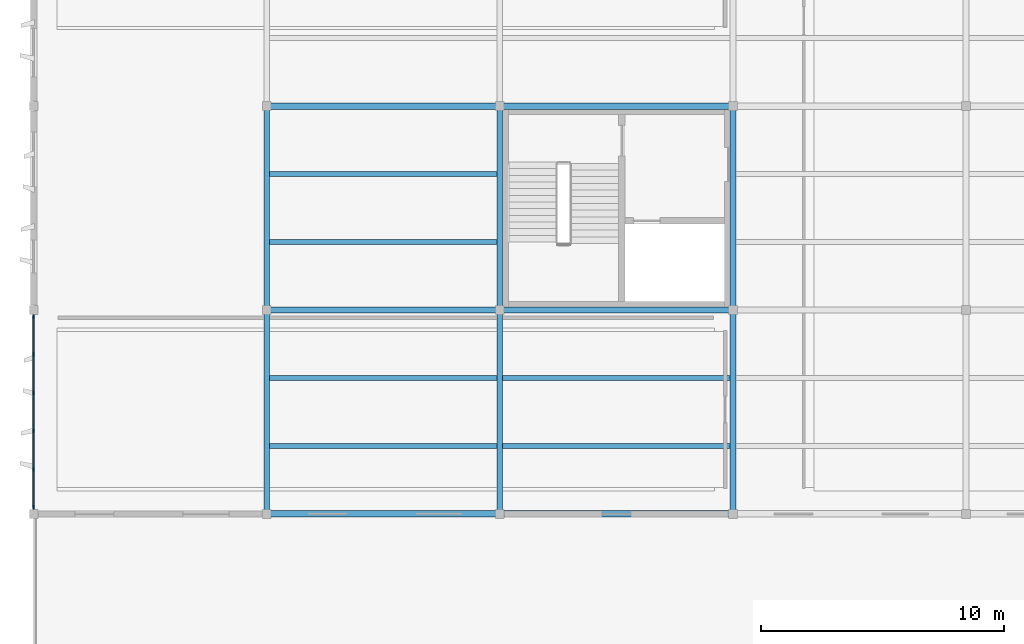
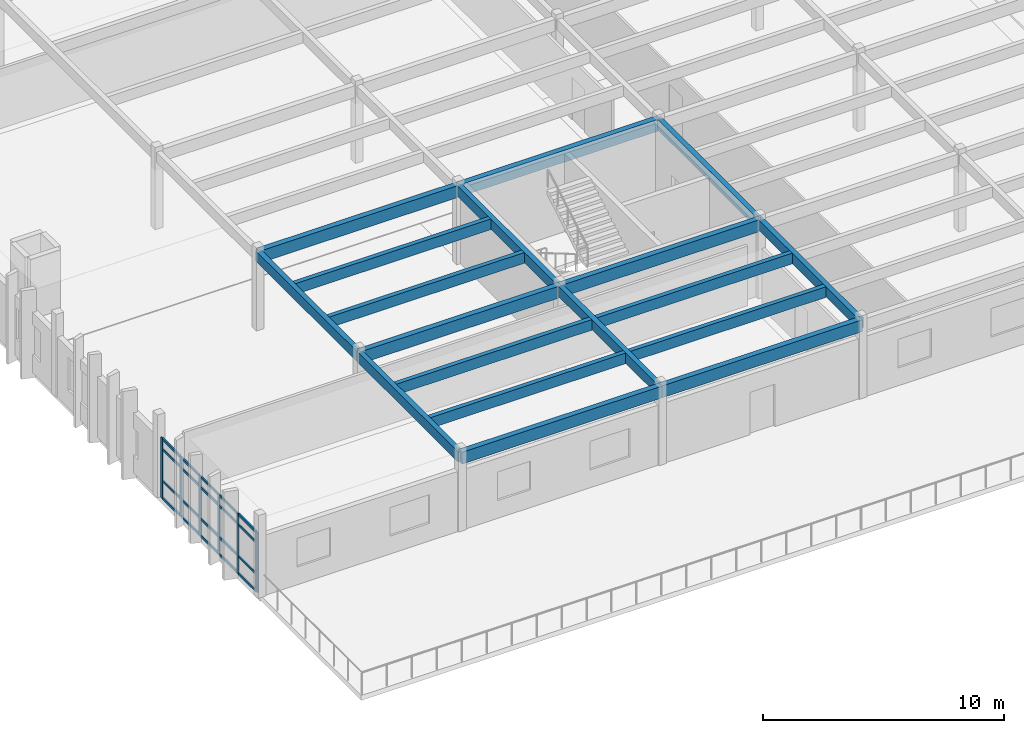
# One storey, part 5 of 61: 26 members, 18 beams, 1 element without a shape of its own.
"""IFC4 building model written with IfcOpenShell, lengths in metres."""

from ifc_helpers import new_model, si_unit, direction, frame, origin, origin_2d, place, context, subcontext, project, spatial, rectangle, extrude, material, layer, layer_set, material_profile, profile_set, type_object, element, aggregate, save


model = new_model("IFC4")

# Units and contexts
model_context = context("Model", 3, precision=1e-05, world=origin(), true_north=direction((0.0, 1.0)))
body_context = subcontext(model_context, "Body", "Model", "MODEL_VIEW")
ifc_project = project(units=[si_unit("LENGTHUNIT", "METRE"), si_unit("AREAUNIT", "SQUARE_METRE"), si_unit("VOLUMEUNIT", "CUBIC_METRE"), si_unit("PLANEANGLEUNIT", "RADIAN"), si_unit("MASSUNIT", "GRAM", prefix="KILO")], contexts=[model_context])

# Site, building, storey
site_placement = place(None, origin())
site = spatial("IfcSite", under=ifc_project, at=site_placement, CompositionType="ELEMENT")
building_placement = place(site_placement, origin())
building = spatial("IfcBuilding", under=site, at=building_placement, Name="Kolvemor Railside Polytechnic", CompositionType="ELEMENT")
storey_placement = place(building_placement, frame((0.0, 0.0, 10.199951171875)))
storey = spatial("IfcBuildingStorey", under=building, at=storey_placement, Name="L02", CompositionType="ELEMENT", Elevation=10.199951171875)

# Beams
ifc_material_1 = material(Name="Glulam GL28h", Category="wood")
ifc_material_profile_1 = material_profile(ifc_material_1, rectangle(XDim=0.264892578125, YDim=0.60009765625, at=origin_2d()), Name="GL265x600")
ifc_profile_set_1 = profile_set([ifc_material_profile_1], Name="Glulam GL28h")
beam_type_1 = type_object("IfcBeamType", Name="BM-GL-GIRD7", PredefinedType="BEAM", material=ifc_profile_set_1)
beam_1_placement = place(storey_placement, frame((9.60009765625, 13.199951171875, 3.650146484375), z_axis=(1.0, 0.0, 0.0), x_axis=(0.0, 1.0, 0.0)))
element("IfcBeam", 1, at=beam_1_placement, inside=storey, type_object=beam_type_1, Name="Primary Girder L03-GX 1097", PredefinedType="BEAM", context=body_context, shape_type="SweptSolid", body=[
    extrude(rectangle(XDim=0.264892578125, YDim=0.60009765625, at=origin_2d()), origin(), (0.0, 0.0, 1.0), 9.599853515625),
])
beam_2_placement = place(storey_placement, frame((19.199951171875, 13.199951171875, 3.650146484375), z_axis=(1.0, 0.0, 0.0), x_axis=(0.0, 1.0, 0.0)))
element("IfcBeam", 2, at=beam_2_placement, inside=storey, type_object=beam_type_1, Name="Primary Girder L03-GX 1098", PredefinedType="BEAM", context=body_context, shape_type="SweptSolid", body=[
    extrude(rectangle(XDim=0.264892578125, YDim=0.60009765625, at=origin_2d()), origin(), (0.0, 0.0, 1.0), 9.60009765625),
])
beam_3_placement = place(storey_placement, frame((9.60009765625, 21.60009765625, 3.650146484375), z_axis=(1.0, 0.0, 0.0), x_axis=(0.0, 1.0, 0.0)))
element("IfcBeam", 3, at=beam_3_placement, inside=storey, type_object=beam_type_1, Name="Primary Girder L03-GX 1101", PredefinedType="BEAM", context=body_context, shape_type="SweptSolid", body=[
    extrude(rectangle(XDim=0.264892578125, YDim=0.60009765625, at=origin_2d()), origin(), (0.0, 0.0, 1.0), 9.599853515625),
])
beam_4_placement = place(storey_placement, frame((19.199951171875, 21.60009765625, 3.650146484375), z_axis=(1.0, 0.0, 0.0), x_axis=(0.0, 1.0, 0.0)))
element("IfcBeam", 4, at=beam_4_placement, inside=storey, type_object=beam_type_1, Name="Primary Girder L03-GX 1102", PredefinedType="BEAM", context=body_context, shape_type="SweptSolid", body=[
    extrude(rectangle(XDim=0.264892578125, YDim=0.60009765625, at=origin_2d()), origin(), (0.0, 0.0, 1.0), 9.60009765625),
])
beam_5_placement = place(storey_placement, frame((9.60009765625, 30.0, 3.650146484375), z_axis=(1.0, 0.0, 0.0), x_axis=(0.0, 1.0, 0.0)))
element("IfcBeam", 5, at=beam_5_placement, inside=storey, type_object=beam_type_1, Name="Primary Girder L03-GX 1105", PredefinedType="BEAM", context=body_context, shape_type="SweptSolid", body=[
    extrude(rectangle(XDim=0.264892578125, YDim=0.60009765625, at=origin_2d()), origin(), (0.0, 0.0, 1.0), 9.599853515625),
])
beam_6_placement = place(storey_placement, frame((19.199951171875, 30.0, 3.650146484375), z_axis=(1.0, 0.0, 0.0), x_axis=(0.0, 1.0, 0.0)))
element("IfcBeam", 6, at=beam_6_placement, inside=storey, type_object=beam_type_1, Name="Primary Girder L03-GX 1106", PredefinedType="BEAM", context=body_context, shape_type="SweptSolid", body=[
    extrude(rectangle(XDim=0.264892578125, YDim=0.60009765625, at=origin_2d()), origin(), (0.0, 0.0, 1.0), 9.60009765625),
])
ifc_material_2 = material(Name="Glulam GL28h", Category="wood")
ifc_material_profile_2 = material_profile(ifc_material_2, rectangle(XDim=0.239990234375, YDim=0.52001953125, at=origin_2d()), Name="GL240x520")
ifc_profile_set_2 = profile_set([ifc_material_profile_2], Name="Glulam GL28h")
beam_type_2 = type_object("IfcBeamType", Name="BM-GL-GIRD8", PredefinedType="BEAM", material=ifc_profile_set_2)
beam_7_placement = place(storey_placement, frame((9.60009765625, 13.199951171875, 3.68994140625), z_axis=(0.0, 1.0, 0.0), x_axis=(-1.0, 0.0, 0.0)))
element("IfcBeam", 7, at=beam_7_placement, inside=storey, type_object=beam_type_2, Name="Primary Girder L03-GY 1129", PredefinedType="BEAM", context=body_context, shape_type="SweptSolid", body=[
    extrude(rectangle(XDim=0.239990234375, YDim=0.52001953125, at=origin_2d()), origin(), (0.0, 0.0, 1.0), 8.400146484375),
])
beam_8_placement = place(storey_placement, frame((9.60009765625, 21.60009765625, 3.68994140625), z_axis=(0.0, 1.0, 0.0), x_axis=(-1.0, 0.0, 0.0)))
element("IfcBeam", 8, at=beam_8_placement, inside=storey, type_object=beam_type_2, Name="Primary Girder L03-GY 1130", PredefinedType="BEAM", context=body_context, shape_type="SweptSolid", body=[
    extrude(rectangle(XDim=0.239990234375, YDim=0.52001953125, at=origin_2d()), origin(), (0.0, 0.0, 1.0), 8.39990234375),
])
beam_9_placement = place(storey_placement, frame((19.199951171875, 13.199951171875, 3.68994140625), z_axis=(0.0, 1.0, 0.0), x_axis=(-1.0, 0.0, 0.0)))
element("IfcBeam", 9, at=beam_9_placement, inside=storey, type_object=beam_type_2, Name="Primary Girder L03-GY 1136", PredefinedType="BEAM", context=body_context, shape_type="SweptSolid", body=[
    extrude(rectangle(XDim=0.239990234375, YDim=0.52001953125, at=origin_2d()), origin(), (0.0, 0.0, 1.0), 8.400146484375),
])
beam_10_placement = place(storey_placement, frame((19.199951171875, 21.60009765625, 3.68994140625), z_axis=(0.0, 1.0, 0.0), x_axis=(-1.0, 0.0, 0.0)))
element("IfcBeam", 10, at=beam_10_placement, inside=storey, type_object=beam_type_2, Name="Primary Girder L03-GY 1137", PredefinedType="BEAM", context=body_context, shape_type="SweptSolid", body=[
    extrude(rectangle(XDim=0.239990234375, YDim=0.52001953125, at=origin_2d()), origin(), (0.0, 0.0, 1.0), 8.39990234375),
])
beam_11_placement = place(storey_placement, frame((28.800048828125, 13.199951171875, 3.68994140625), z_axis=(0.0, 1.0, 0.0), x_axis=(-1.0, 0.0, 0.0)))
element("IfcBeam", 11, at=beam_11_placement, inside=storey, type_object=beam_type_2, Name="Primary Girder L03-GY 1143", PredefinedType="BEAM", context=body_context, shape_type="SweptSolid", body=[
    extrude(rectangle(XDim=0.239990234375, YDim=0.52001953125, at=origin_2d()), origin(), (0.0, 0.0, 1.0), 8.400146484375),
])
beam_12_placement = place(storey_placement, frame((28.800048828125, 21.60009765625, 3.68994140625), z_axis=(0.0, 1.0, 0.0), x_axis=(-1.0, 0.0, 0.0)))
element("IfcBeam", 12, at=beam_12_placement, inside=storey, type_object=beam_type_2, Name="Primary Girder L03-GY 1144", PredefinedType="BEAM", context=body_context, shape_type="SweptSolid", body=[
    extrude(rectangle(XDim=0.239990234375, YDim=0.52001953125, at=origin_2d()), origin(), (0.0, 0.0, 1.0), 8.39990234375),
])
ifc_material_3 = material(Name="Glulam GL28h", Category="wood")
ifc_material_profile_3 = material_profile(ifc_material_3, rectangle(XDim=0.215087890625, YDim=0.5400390625, at=origin_2d()), Name="GL215x540")
ifc_profile_set_3 = profile_set([ifc_material_profile_3], Name="Glulam GL28h")
beam_type_3 = type_object("IfcBeamType", Name="BM-GL-JST1", PredefinedType="JOIST", material=ifc_profile_set_3)
for number, where, z_axis, x_axis, name in (
    (13, (9.719970703125, 16.0, 3.679931640625), (1.0, 0.0, 0.0), (0.0, 1.0, 0.0), "Floor Joist L03-J1164"),
    (14, (9.719970703125, 18.800048828125, 3.679931640625), (1.0, 0.0, 0.0), (0.0, 1.0, 0.0), "Floor Joist L03-J1165"),
    (15, (9.719970703125, 24.39990234375, 3.679931640625), (1.0, 0.0, 0.0), (0.0, 1.0, 0.0), "Floor Joist L03-J1166"),
    (16, (9.719970703125, 27.199951171875, 3.679931640625), (1.0, 0.0, 0.0), (0.0, 1.0, 0.0), "Floor Joist L03-J1167"),
):
    element("IfcBeam", number, at=place(storey_placement, frame(where, z_axis=z_axis, x_axis=x_axis)), inside=storey, type_object=beam_type_3, Name=name, PredefinedType="JOIST", context=body_context, shape_type="SweptSolid", body=[
        extrude(rectangle(XDim=0.215087890625, YDim=0.5400390625, at=origin_2d()), origin(), (0.0, 0.0, 1.0), 9.360107421875),
    ])
for number, where, z_axis, x_axis, name in (
    (17, (19.320068359375, 16.0, 3.679931640625), (1.0, 0.0, 0.0), (0.0, 1.0, 0.0), "Floor Joist L03-J1178"),
    (18, (19.320068359375, 18.800048828125, 3.679931640625), (1.0, 0.0, 0.0), (0.0, 1.0, 0.0), "Floor Joist L03-J1179"),
):
    element("IfcBeam", number, at=place(storey_placement, frame(where, z_axis=z_axis, x_axis=x_axis)), inside=storey, type_object=beam_type_3, Name=name, PredefinedType="JOIST", context=body_context, shape_type="SweptSolid", body=[
        extrude(rectangle(XDim=0.215087890625, YDim=0.5400390625, at=origin_2d()), origin(), (0.0, 0.0, 1.0), 9.35986328125),
    ])

# Curtain wall, members
ifc_material_4 = material(Name="Anodised marine aluminium and laminated low-E glass", Category="aluminium")
ifc_layer = layer(ifc_material_4, 0.179931640625, Name="CW-UNIT-STD")
ifc_layer_set = layer_set([ifc_layer], Name="Anodised marine aluminium and laminated low-E glass")
curtain_wall_type = type_object("IfcCurtainWallType", Name="CW-UNIT-STD", PredefinedType="USERDEFINED", material=ifc_layer_set)
curtain_wall_placement = place(storey_placement, origin())
curtain_wall = element("IfcCurtainWall", 19, at=curtain_wall_placement, inside=storey, type_object=curtain_wall_type, Name="Curtain Wall L02-048", ObjectType="UNITISED CURTAIN WALL", PredefinedType="USERDEFINED")
ifc_material_5 = material(Name="Anodised marine aluminium 6063-T6", Category="aluminium")
ifc_material_profile_4 = material_profile(ifc_material_5, rectangle(XDim=0.06494140625, YDim=0.14990234375, at=origin_2d()), Name="CW-MUL-65x150")
ifc_profile_set_4 = profile_set([ifc_material_profile_4], Name="Anodised marine aluminium 6063-T6")
member_type_1 = type_object("IfcMemberType", Name="CWM-65x150", PredefinedType="MULLION", material=ifc_profile_set_4)
member_1_placement = place(storey_placement, frame((0.0, 21.327392578125, 0.0), z_axis=(0.0, 0.0, 1.0), x_axis=(1.0, 0.0, 0.0)))
member_1 = element("IfcMember", 20, at=member_1_placement, type_object=member_type_1, Name="CW-STD mullion 1", PredefinedType="MULLION", context=body_context, shape_type="SweptSolid", body=[
    extrude(rectangle(XDim=0.06494140625, YDim=0.14990234375, at=origin_2d()), origin(), (0.0, 0.0, 1.0), 3.050048828125),
])
member_2_placement = place(storey_placement, frame((0.0, 19.77587890625, 0.0), z_axis=(0.0, 0.0, 1.0), x_axis=(1.0, 0.0, 0.0)))
member_2 = element("IfcMember", 21, at=member_2_placement, type_object=member_type_1, Name="CW-STD mullion 2", PredefinedType="MULLION", context=body_context, shape_type="SweptSolid", body=[
    extrude(rectangle(XDim=0.06494140625, YDim=0.14990234375, at=origin_2d()), origin(), (0.0, 0.0, 1.0), 3.050048828125),
])
member_3_placement = place(storey_placement, frame((0.0, 18.19189453125, 0.0), z_axis=(0.0, 0.0, 1.0), x_axis=(1.0, 0.0, 0.0)))
member_3 = element("IfcMember", 22, at=member_3_placement, type_object=member_type_1, Name="CW-STD mullion 3", PredefinedType="MULLION", context=body_context, shape_type="SweptSolid", body=[
    extrude(rectangle(XDim=0.06494140625, YDim=0.14990234375, at=origin_2d()), origin(), (0.0, 0.0, 1.0), 3.050048828125),
])
member_4_placement = place(storey_placement, frame((0.0, 16.60791015625, 0.0), z_axis=(0.0, 0.0, 1.0), x_axis=(1.0, 0.0, 0.0)))
member_4 = element("IfcMember", 23, at=member_4_placement, type_object=member_type_1, Name="CW-STD mullion 4", PredefinedType="MULLION", context=body_context, shape_type="SweptSolid", body=[
    extrude(rectangle(XDim=0.06494140625, YDim=0.14990234375, at=origin_2d()), origin(), (0.0, 0.0, 1.0), 3.050048828125),
])
member_5_placement = place(storey_placement, frame((0.0, 15.02392578125, 0.0), z_axis=(0.0, 0.0, 1.0), x_axis=(1.0, 0.0, 0.0)))
member_5 = element("IfcMember", 24, at=member_5_placement, type_object=member_type_1, Name="CW-STD mullion 5", PredefinedType="MULLION", context=body_context, shape_type="SweptSolid", body=[
    extrude(rectangle(XDim=0.06494140625, YDim=0.14990234375, at=origin_2d()), origin(), (0.0, 0.0, 1.0), 3.050048828125),
])
member_6_placement = place(storey_placement, frame((0.0, 13.472412109375, 0.0), z_axis=(0.0, 0.0, 1.0), x_axis=(1.0, 0.0, 0.0)))
member_6 = element("IfcMember", 25, at=member_6_placement, type_object=member_type_1, Name="CW-STD mullion 6", PredefinedType="MULLION", context=body_context, shape_type="SweptSolid", body=[
    extrude(rectangle(XDim=0.06494140625, YDim=0.14990234375, at=origin_2d()), origin(), (0.0, 0.0, 1.0), 3.050048828125),
])
ifc_material_6 = material(Name="Anodised marine aluminium 6063-T6", Category="aluminium")
ifc_material_profile_5 = material_profile(ifc_material_6, rectangle(XDim=0.06494140625, YDim=0.1201171875, at=origin_2d()), Name="CW-TRN-65x120")
ifc_profile_set_5 = profile_set([ifc_material_profile_5], Name="Anodised marine aluminium 6063-T6")
member_type_2 = type_object("IfcMemberType", Name="CWT-65x120", PredefinedType="USERDEFINED", material=ifc_profile_set_5)
member_7_placement = place(storey_placement, frame((0.0, 21.294921875, 0.032470703125), z_axis=(0.0, -1.0, 0.0), x_axis=(1.0, 0.0, 0.0)))
member_7 = element("IfcMember", 26, at=member_7_placement, type_object=member_type_2, Name="CW-STD transom 1.1", ObjectType="TRANSOM", PredefinedType="USERDEFINED", context=body_context, shape_type="SweptSolid", body=[
    extrude(rectangle(XDim=0.06494140625, YDim=0.1201171875, at=origin_2d()), origin(), (0.0, 0.0, 1.0), 1.486328125),
])
member_8_placement = place(storey_placement, frame((0.0, 21.294921875, 0.900146484375), z_axis=(0.0, -1.0, 0.0), x_axis=(1.0, 0.0, 0.0)))
member_8 = element("IfcMember", 27, at=member_8_placement, type_object=member_type_2, Name="CW-STD transom 1.2", ObjectType="TRANSOM", PredefinedType="USERDEFINED", context=body_context, shape_type="SweptSolid", body=[
    extrude(rectangle(XDim=0.06494140625, YDim=0.1201171875, at=origin_2d()), origin(), (0.0, 0.0, 1.0), 1.486328125),
])
member_9_placement = place(storey_placement, frame((0.0, 21.294921875, 2.5), z_axis=(0.0, -1.0, 0.0), x_axis=(1.0, 0.0, 0.0)))
member_9 = element("IfcMember", 28, at=member_9_placement, type_object=member_type_2, Name="CW-STD transom 1.3", ObjectType="TRANSOM", PredefinedType="USERDEFINED", context=body_context, shape_type="SweptSolid", body=[
    extrude(rectangle(XDim=0.06494140625, YDim=0.1201171875, at=origin_2d()), origin(), (0.0, 0.0, 1.0), 1.486328125),
])
member_10_placement = place(storey_placement, frame((0.0, 21.294921875, 3.017578125), z_axis=(0.0, -1.0, 0.0), x_axis=(1.0, 0.0, 0.0)))
member_10 = element("IfcMember", 29, at=member_10_placement, type_object=member_type_2, Name="CW-STD transom 1.4", ObjectType="TRANSOM", PredefinedType="USERDEFINED", context=body_context, shape_type="SweptSolid", body=[
    extrude(rectangle(XDim=0.06494140625, YDim=0.1201171875, at=origin_2d()), origin(), (0.0, 0.0, 1.0), 1.486328125),
])
member_11_placement = place(storey_placement, frame((0.0, 19.743408203125, 0.032470703125), z_axis=(0.0, -1.0, 0.0), x_axis=(1.0, 0.0, 0.0)))
member_11 = element("IfcMember", 30, at=member_11_placement, type_object=member_type_2, Name="CW-STD transom 2.1", ObjectType="TRANSOM", PredefinedType="USERDEFINED", context=body_context, shape_type="SweptSolid", body=[
    extrude(rectangle(XDim=0.06494140625, YDim=0.1201171875, at=origin_2d()), origin(), (0.0, 0.0, 1.0), 1.518798828125),
])
member_12_placement = place(storey_placement, frame((0.0, 19.743408203125, 0.900146484375), z_axis=(0.0, -1.0, 0.0), x_axis=(1.0, 0.0, 0.0)))
member_12 = element("IfcMember", 31, at=member_12_placement, type_object=member_type_2, Name="CW-STD transom 2.2", ObjectType="TRANSOM", PredefinedType="USERDEFINED", context=body_context, shape_type="SweptSolid", body=[
    extrude(rectangle(XDim=0.06494140625, YDim=0.1201171875, at=origin_2d()), origin(), (0.0, 0.0, 1.0), 1.518798828125),
])
member_13_placement = place(storey_placement, frame((0.0, 19.743408203125, 2.5), z_axis=(0.0, -1.0, 0.0), x_axis=(1.0, 0.0, 0.0)))
member_13 = element("IfcMember", 32, at=member_13_placement, type_object=member_type_2, Name="CW-STD transom 2.3", ObjectType="TRANSOM", PredefinedType="USERDEFINED", context=body_context, shape_type="SweptSolid", body=[
    extrude(rectangle(XDim=0.06494140625, YDim=0.1201171875, at=origin_2d()), origin(), (0.0, 0.0, 1.0), 1.518798828125),
])
member_14_placement = place(storey_placement, frame((0.0, 19.743408203125, 3.017578125), z_axis=(0.0, -1.0, 0.0), x_axis=(1.0, 0.0, 0.0)))
member_14 = element("IfcMember", 33, at=member_14_placement, type_object=member_type_2, Name="CW-STD transom 2.4", ObjectType="TRANSOM", PredefinedType="USERDEFINED", context=body_context, shape_type="SweptSolid", body=[
    extrude(rectangle(XDim=0.06494140625, YDim=0.1201171875, at=origin_2d()), origin(), (0.0, 0.0, 1.0), 1.518798828125),
])
member_15_placement = place(storey_placement, frame((0.0, 18.159423828125, 0.032470703125), z_axis=(0.0, -1.0, 0.0), x_axis=(1.0, 0.0, 0.0)))
member_15 = element("IfcMember", 34, at=member_15_placement, type_object=member_type_2, Name="CW-STD transom 3.1", ObjectType="TRANSOM", PredefinedType="USERDEFINED", context=body_context, shape_type="SweptSolid", body=[
    extrude(rectangle(XDim=0.06494140625, YDim=0.1201171875, at=origin_2d()), origin(), (0.0, 0.0, 1.0), 1.51904296875),
])
member_16_placement = place(storey_placement, frame((0.0, 18.159423828125, 0.900146484375), z_axis=(0.0, -1.0, 0.0), x_axis=(1.0, 0.0, 0.0)))
member_16 = element("IfcMember", 35, at=member_16_placement, type_object=member_type_2, Name="CW-STD transom 3.2", ObjectType="TRANSOM", PredefinedType="USERDEFINED", context=body_context, shape_type="SweptSolid", body=[
    extrude(rectangle(XDim=0.06494140625, YDim=0.1201171875, at=origin_2d()), origin(), (0.0, 0.0, 1.0), 1.51904296875),
])
member_17_placement = place(storey_placement, frame((0.0, 18.159423828125, 2.5), z_axis=(0.0, -1.0, 0.0), x_axis=(1.0, 0.0, 0.0)))
member_17 = element("IfcMember", 36, at=member_17_placement, type_object=member_type_2, Name="CW-STD transom 3.3", ObjectType="TRANSOM", PredefinedType="USERDEFINED", context=body_context, shape_type="SweptSolid", body=[
    extrude(rectangle(XDim=0.06494140625, YDim=0.1201171875, at=origin_2d()), origin(), (0.0, 0.0, 1.0), 1.51904296875),
])
member_18_placement = place(storey_placement, frame((0.0, 18.159423828125, 3.017578125), z_axis=(0.0, -1.0, 0.0), x_axis=(1.0, 0.0, 0.0)))
member_18 = element("IfcMember", 37, at=member_18_placement, type_object=member_type_2, Name="CW-STD transom 3.4", ObjectType="TRANSOM", PredefinedType="USERDEFINED", context=body_context, shape_type="SweptSolid", body=[
    extrude(rectangle(XDim=0.06494140625, YDim=0.1201171875, at=origin_2d()), origin(), (0.0, 0.0, 1.0), 1.51904296875),
])
member_19_placement = place(storey_placement, frame((0.0, 16.575439453125, 0.032470703125), z_axis=(0.0, -1.0, 0.0), x_axis=(1.0, 0.0, 0.0)))
member_19 = element("IfcMember", 38, at=member_19_placement, type_object=member_type_2, Name="CW-STD transom 4.1", ObjectType="TRANSOM", PredefinedType="USERDEFINED", context=body_context, shape_type="SweptSolid", body=[
    extrude(rectangle(XDim=0.06494140625, YDim=0.1201171875, at=origin_2d()), origin(), (0.0, 0.0, 1.0), 1.51904296875),
])
member_20_placement = place(storey_placement, frame((0.0, 16.575439453125, 0.900146484375), z_axis=(0.0, -1.0, 0.0), x_axis=(1.0, 0.0, 0.0)))
member_20 = element("IfcMember", 39, at=member_20_placement, type_object=member_type_2, Name="CW-STD transom 4.2", ObjectType="TRANSOM", PredefinedType="USERDEFINED", context=body_context, shape_type="SweptSolid", body=[
    extrude(rectangle(XDim=0.06494140625, YDim=0.1201171875, at=origin_2d()), origin(), (0.0, 0.0, 1.0), 1.51904296875),
])
member_21_placement = place(storey_placement, frame((0.0, 16.575439453125, 2.5), z_axis=(0.0, -1.0, 0.0), x_axis=(1.0, 0.0, 0.0)))
member_21 = element("IfcMember", 40, at=member_21_placement, type_object=member_type_2, Name="CW-STD transom 4.3", ObjectType="TRANSOM", PredefinedType="USERDEFINED", context=body_context, shape_type="SweptSolid", body=[
    extrude(rectangle(XDim=0.06494140625, YDim=0.1201171875, at=origin_2d()), origin(), (0.0, 0.0, 1.0), 1.51904296875),
])
member_22_placement = place(storey_placement, frame((0.0, 16.575439453125, 3.017578125), z_axis=(0.0, -1.0, 0.0), x_axis=(1.0, 0.0, 0.0)))
member_22 = element("IfcMember", 41, at=member_22_placement, type_object=member_type_2, Name="CW-STD transom 4.4", ObjectType="TRANSOM", PredefinedType="USERDEFINED", context=body_context, shape_type="SweptSolid", body=[
    extrude(rectangle(XDim=0.06494140625, YDim=0.1201171875, at=origin_2d()), origin(), (0.0, 0.0, 1.0), 1.51904296875),
])
member_23_placement = place(storey_placement, frame((0.0, 14.991455078125, 0.032470703125), z_axis=(0.0, -1.0, 0.0), x_axis=(1.0, 0.0, 0.0)))
member_23 = element("IfcMember", 42, at=member_23_placement, type_object=member_type_2, Name="CW-STD transom 5.1", ObjectType="TRANSOM", PredefinedType="USERDEFINED", context=body_context, shape_type="SweptSolid", body=[
    extrude(rectangle(XDim=0.06494140625, YDim=0.1201171875, at=origin_2d()), origin(), (0.0, 0.0, 1.0), 1.486572265625),
])
member_24_placement = place(storey_placement, frame((0.0, 14.991455078125, 0.900146484375), z_axis=(0.0, -1.0, 0.0), x_axis=(1.0, 0.0, 0.0)))
member_24 = element("IfcMember", 43, at=member_24_placement, type_object=member_type_2, Name="CW-STD transom 5.2", ObjectType="TRANSOM", PredefinedType="USERDEFINED", context=body_context, shape_type="SweptSolid", body=[
    extrude(rectangle(XDim=0.06494140625, YDim=0.1201171875, at=origin_2d()), origin(), (0.0, 0.0, 1.0), 1.486572265625),
])
member_25_placement = place(storey_placement, frame((0.0, 14.991455078125, 2.5), z_axis=(0.0, -1.0, 0.0), x_axis=(1.0, 0.0, 0.0)))
member_25 = element("IfcMember", 44, at=member_25_placement, type_object=member_type_2, Name="CW-STD transom 5.3", ObjectType="TRANSOM", PredefinedType="USERDEFINED", context=body_context, shape_type="SweptSolid", body=[
    extrude(rectangle(XDim=0.06494140625, YDim=0.1201171875, at=origin_2d()), origin(), (0.0, 0.0, 1.0), 1.486572265625),
])
member_26_placement = place(storey_placement, frame((0.0, 14.991455078125, 3.017578125), z_axis=(0.0, -1.0, 0.0), x_axis=(1.0, 0.0, 0.0)))
member_26 = element("IfcMember", 45, at=member_26_placement, type_object=member_type_2, Name="CW-STD transom 5.4", ObjectType="TRANSOM", PredefinedType="USERDEFINED", context=body_context, shape_type="SweptSolid", body=[
    extrude(rectangle(XDim=0.06494140625, YDim=0.1201171875, at=origin_2d()), origin(), (0.0, 0.0, 1.0), 1.486572265625),
])
aggregate(curtain_wall, [member_1, member_2, member_3, member_4, member_5, member_6, member_7, member_8, member_9, member_10, member_11, member_12, member_13, member_14, member_15, member_16, member_17, member_18, member_19, member_20, member_21, member_22, member_23, member_24, member_25, member_26])

save(model, "model.ifc")
